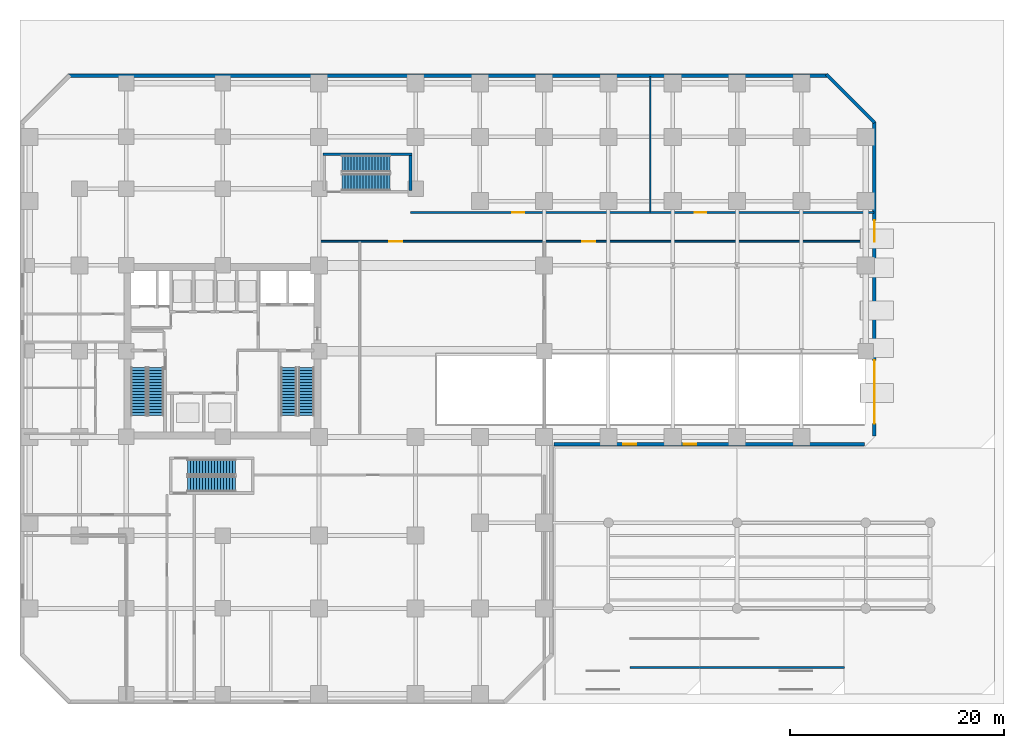
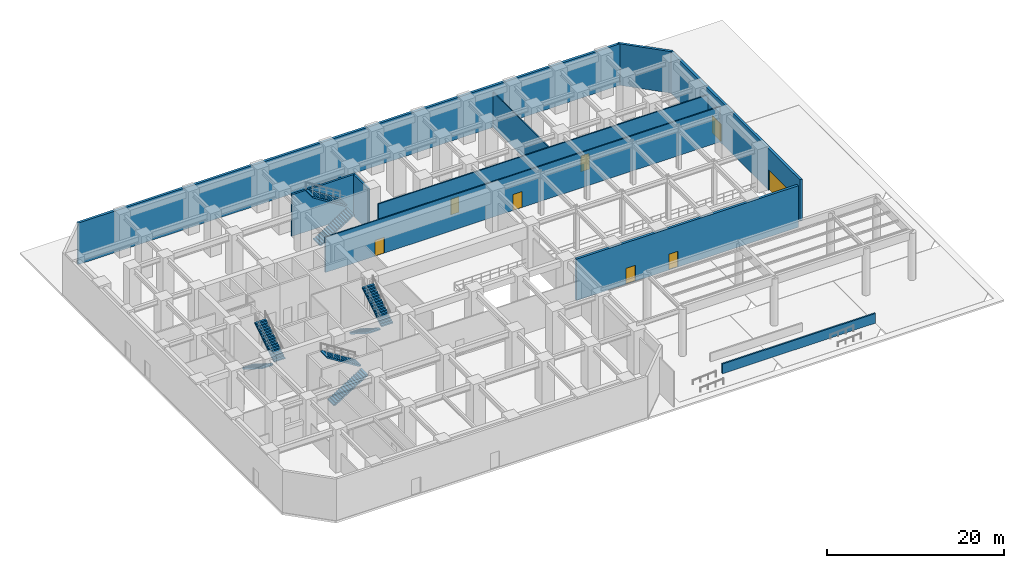
# One storey, part 7 of 13: 10 walls, 8 doors, 8 stair flights, 8 openings, 4 elements without a shape of their own.
"""IFC4 building model written with IfcOpenShell, lengths in metres."""

from ifc_helpers import new_model, si_unit, direction, frame, frame_2d, origin, place, context, subcontext, project, spatial, polyline, rectangle, outline, extrude, source, transform, mapped, material, layer, layer_set, type_object, element, fill, aggregate, save


model = new_model("IFC4")

# Units and contexts
model_context = context("Model", 3, precision=1e-05, world=origin(), true_north=direction((0.0, 1.0)))
body_context = subcontext(model_context, "Body", "Model", "MODEL_VIEW")
ifc_project = project(units=[si_unit("LENGTHUNIT", "METRE"), si_unit("AREAUNIT", "SQUARE_METRE"), si_unit("VOLUMEUNIT", "CUBIC_METRE"), si_unit("PLANEANGLEUNIT", "RADIAN"), si_unit("MASSUNIT", "GRAM", prefix="KILO")], contexts=[model_context])

# Site, building, storey
site_placement = place(None, origin())
site = spatial("IfcSite", under=ifc_project, at=site_placement, CompositionType="ELEMENT")
building_placement = place(site_placement, origin())
building = spatial("IfcBuilding", under=site, at=building_placement, Name="Torre Montelarca", CompositionType="ELEMENT")
storey_placement = place(building_placement, origin())
storey = spatial("IfcBuildingStorey", under=building, at=storey_placement, Name="L01", CompositionType="ELEMENT", Elevation=0.0)

# Walls
ifc_material_1 = material(Name="Concrete C40/50", Category="concrete")
ifc_layer_1 = layer(ifc_material_1, 0.25, Name="Concrete C40/50", Category="concrete")
ifc_layer_set_1 = layer_set([ifc_layer_1], Name="Concrete C40/50")
wall_type_1 = type_object("IfcWallType", Name="CW-SHAFT-250", PredefinedType="SHEAR", material=ifc_layer_set_1)
wall_1_placement = place(storey_placement, frame((35.52490234375, 47.0, 0.0), z_axis=(0.0, 0.0, 1.0), x_axis=(0.0, 1.0, 0.0)))
element("IfcWall", 1, at=wall_1_placement, inside=storey, type_object=wall_type_1, Name="L01 Core Shear Wall SH-ST4-E", PredefinedType="SHEAR", context=body_context, shape_type="SweptSolid", body=[
    extrude(rectangle(XDim=3.25, YDim=0.25, at=frame_2d((1.625, 0.0))), origin(), (0.0, 0.0, 1.0), 5.739990234375),
])
wall_2_placement = place(storey_placement, frame((27.35009765625, 50.375, 0.0), z_axis=(0.0, 0.0, 1.0), x_axis=(1.0, 0.0, 0.0)))
element("IfcWall", 2, at=wall_2_placement, inside=storey, type_object=wall_type_1, Name="L01 Core Shear Wall SH-ST4-N", PredefinedType="SHEAR", context=body_context, shape_type="SweptSolid", body=[
    extrude(rectangle(XDim=8.2998046875, YDim=0.25, at=frame_2d((4.14990234375, 0.0))), origin(), (0.0, 0.0, 1.0), 5.739990234375),
])

# Wall, openings, doors
ifc_material_2 = material(Name="Precast concrete C45/55", Category="concrete")
ifc_layer_2 = layer(ifc_material_2, 0.320068359375, Name="Precast concrete C45/55", Category="concrete")
ifc_layer_set_2 = layer_set([ifc_layer_2], Name="Precast concrete C45/55")
wall_type_2 = type_object("IfcWallType", Name="EW-CONC-320", PredefinedType="SOLIDWALL", material=ifc_layer_set_2)
wall_3_placement = place(storey_placement, frame((77.89990234375, 23.320068359375, 0.0), z_axis=(0.0, 0.0, 1.0), x_axis=(-1.0, 0.0, 0.0)))
wall_3 = element("IfcWall", 3, at=wall_3_placement, inside=storey, type_object=wall_type_2, Name="L01 Podium Precast Concrete Wall E04", PredefinedType="SOLIDWALL", context=body_context, shape_type="SweptSolid", body=[
    extrude(rectangle(XDim=29.0, YDim=0.320068359375, at=frame_2d((14.5, 0.0))), origin(), (0.0, 0.0, 1.0), 5.739990234375),
])
opening_1_placement = place(wall_3_placement, frame((21.300048828125, 0.0, 0.0)))
opening_1 = element("IfcOpeningElement", 4, at=opening_1_placement, cuts=wall_3, Name="Opening ED-02", PredefinedType="OPENING", context=body_context, shape_type="SweptSolid", body=[
    extrude(rectangle(XDim=1.199951171875, YDim=2.199951171875, at=frame_2d((0.60009765625, 1.10009765625))), frame((0.0, 0.169921875, 0.0), z_axis=(0.0, -1.0, 0.0), x_axis=(1.0, 0.0, 0.0)), (0.0, 0.0, 1.0), 0.340087890625),
])
opening_2_placement = place(wall_3_placement, frame((15.699951171875, 0.0, 0.0)))
opening_2 = element("IfcOpeningElement", 5, at=opening_2_placement, cuts=wall_3, Name="Opening ED-02", PredefinedType="OPENING", context=body_context, shape_type="SweptSolid", body=[
    extrude(rectangle(XDim=1.199951171875, YDim=2.199951171875, at=frame_2d((0.60009765625, 1.10009765625))), frame((0.0, 0.169921875, 0.0), z_axis=(0.0, -1.0, 0.0), x_axis=(1.0, 0.0, 0.0)), (0.0, 0.0, 1.0), 0.340087890625),
])
ifc_material_3 = material(Name="Powder-coated galvanized steel and safety glass", Category="steel")
door_type_1 = type_object("IfcDoorType", Name="DR-EXT-EXIT", OperationType="NOTDEFINED", PredefinedType="DOOR", material=ifc_material_3)
shared_shape_1 = source(origin(), body_context, "Body", "SweptSolid", [
    extrude(rectangle(XDim=1.199951171875, YDim=2.199951171875, at=frame_2d((0.60009765625, 1.10009765625))), frame((0.0, 0.02490234375, 0.0), z_axis=(0.0, -1.0, 0.0), x_axis=(1.0, 0.0, 0.0)), (0.0, 0.0, 1.0), 0.050048828125),
])
door_1_placement = place(opening_1_placement, origin())
door_1 = element("IfcDoor", 6, at=door_1_placement, inside=storey, type_object=door_type_1, Name="L01 Public Plaza Concourse Entrance Door 1", OperationType="SINGLE_SWING_LEFT", OverallHeight=2.199951171875, OverallWidth=1.199951171875, PredefinedType="DOOR", context=body_context, shape_type="MappedRepresentation", body=[
    mapped(shared_shape_1, transform((0.0, 0.0, 0.0), scale=1.0)),
])
fill(opening_1, door_1)
door_2_placement = place(opening_2_placement, origin())
door_2 = element("IfcDoor", 7, at=door_2_placement, inside=storey, type_object=door_type_1, Name="L01 Public Plaza Concourse Entrance Door 2", OperationType="SINGLE_SWING_RIGHT", OverallHeight=2.199951171875, OverallWidth=1.199951171875, PredefinedType="DOOR", context=body_context, shape_type="MappedRepresentation", body=[
    mapped(shared_shape_1, transform((0.0, 0.0, 0.0), scale=1.0)),
])
fill(opening_2, door_2)

wall_4_placement = place(storey_placement, frame((78.800048828125, 53.39990234375, 0.0), z_axis=(0.0, 0.0, 1.0), x_axis=(0.0, -1.0, 0.0)))
wall_4 = element("IfcWall", 8, at=wall_4_placement, inside=storey, type_object=wall_type_2, Name="L01 Podium Precast Concrete Wall E06", PredefinedType="SOLIDWALL", context=body_context, shape_type="SweptSolid", body=[
    extrude(rectangle(XDim=29.2998046875, YDim=0.320068359375, at=frame_2d((14.64990234375, 0.0))), origin(), (0.0, 0.0, 1.0), 5.739990234375),
])
opening_3_placement = place(wall_4_placement, frame((22.25, 0.0, 0.0)))
opening_3 = element("IfcOpeningElement", 9, at=opening_3_placement, cuts=wall_4, Name="Opening VG-01", PredefinedType="OPENING", context=body_context, shape_type="SweptSolid", body=[
    extrude(rectangle(XDim=5.89990234375, YDim=2.800048828125, at=frame_2d((2.949951171875, 1.39990234375))), frame((0.0, 0.169921875, 0.0), z_axis=(0.0, -1.0, 0.0), x_axis=(1.0, 0.0, 0.0)), (0.0, 0.0, 1.0), 0.340087890625),
])
opening_4_placement = place(wall_4_placement, frame((9.199951171875, 0.0, 0.0)))
opening_4 = element("IfcOpeningElement", 10, at=opening_4_placement, cuts=wall_4, Name="Opening ED-01", PredefinedType="OPENING", context=body_context, shape_type="SweptSolid", body=[
    extrude(rectangle(XDim=2.0, YDim=2.39990234375, at=frame_2d((1.0, 1.199951171875))), frame((0.0, 0.169921875, 0.0), z_axis=(0.0, -1.0, 0.0), x_axis=(1.0, 0.0, 0.0)), (0.0, 0.0, 1.0), 0.340087890625),
])
door_type_2 = type_object("IfcDoorType", Name="DR-VEH-GATE", OperationType="ROLLINGUP", PredefinedType="GATE", material=ifc_material_3)
shared_shape_2 = source(origin(), body_context, "Body", "SweptSolid", [
    extrude(rectangle(XDim=5.89990234375, YDim=2.800048828125, at=frame_2d((2.949951171875, 1.39990234375))), frame((0.0, 0.02490234375, 0.0), z_axis=(0.0, -1.0, 0.0), x_axis=(1.0, 0.0, 0.0)), (0.0, 0.0, 1.0), 0.050048828125),
])
door_3_placement = place(opening_3_placement, origin())
door_3 = element("IfcDoor", 11, at=door_3_placement, inside=storey, type_object=door_type_2, Name="L01 East Plaza Vehicle Ramp Exit Gate VG-01", OperationType="ROLLINGUP", OverallHeight=2.800048828125, OverallWidth=5.89990234375, PredefinedType="GATE", context=body_context, shape_type="MappedRepresentation", body=[
    mapped(shared_shape_2, transform((0.0, 0.0, 0.0), scale=1.0)),
])
fill(opening_3, door_3)
door_type_3 = type_object("IfcDoorType", Name="DR-EXT-DBL", OperationType="DOUBLE_DOOR_SINGLE_SWING", PredefinedType="DOOR", material=ifc_material_3)
shared_shape_3 = source(origin(), body_context, "Body", "SweptSolid", [
    extrude(rectangle(XDim=2.0, YDim=2.39990234375, at=frame_2d((1.0, 1.199951171875))), frame((0.0, 0.02490234375, 0.0), z_axis=(0.0, -1.0, 0.0), x_axis=(1.0, 0.0, 0.0)), (0.0, 0.0, 1.0), 0.050048828125),
])
door_4_placement = place(opening_4_placement, origin())
door_4 = element("IfcDoor", 12, at=door_4_placement, inside=storey, type_object=door_type_3, Name="L01 Bolsa Montelarca Main Plaza Entrance Door 1", OperationType="DOUBLE_DOOR_SINGLE_SWING", OverallHeight=2.39990234375, OverallWidth=2.0, PredefinedType="DOOR", context=body_context, shape_type="MappedRepresentation", body=[
    mapped(shared_shape_3, transform((0.0, 0.0, 0.0), scale=1.0)),
])
fill(opening_4, door_4)

# Walls
wall_5_placement = place(storey_placement, frame((78.829345703125, 53.329345703125, 0.0), z_axis=(0.0, 0.0, 1.0), x_axis=(-0.707106781187, 0.707106781187, 0.0)))
element("IfcWall", 13, at=wall_5_placement, inside=storey, type_object=wall_type_2, Name="L01 Podium Precast Concrete Wall E07", PredefinedType="SOLIDWALL", context=body_context, shape_type="SweptSolid", body=[
    extrude(rectangle(XDim=6.364013671875, YDim=0.320068359375, at=frame_2d((3.18212890625, 0.0))), origin(), (0.0, 0.0, 1.0), 5.739990234375),
])
wall_6_placement = place(storey_placement, frame((74.39990234375, 57.679931640625, 0.0), z_axis=(0.0, 0.0, 1.0), x_axis=(-1.0, 0.0, 0.0)))
element("IfcWall", 14, at=wall_6_placement, inside=storey, type_object=wall_type_2, Name="L01 Podium Precast Concrete Wall E08", PredefinedType="SOLIDWALL", context=body_context, shape_type="SweptSolid", body=[
    extrude(rectangle(XDim=70.7998046875, YDim=0.320068359375, at=frame_2d((35.39990234375, 0.0))), origin(), (0.0, 0.0, 1.0), 5.739990234375),
])
ifc_layer_3 = layer(ifc_material_2, 0.199951171875, Name="Precast concrete C45/55", Category="concrete")
ifc_layer_set_3 = layer_set([ifc_layer_3], Name="Precast concrete C45/55")
wall_type_3 = type_object("IfcWallType", Name="EW-PAR-200", PredefinedType="PARAPET", material=ifc_layer_set_3)
wall_7_placement = place(storey_placement, frame((56.0, 2.5, 0.0), z_axis=(0.0, 0.0, 1.0), x_axis=(1.0, 0.0, 0.0)))
element("IfcWall", 15, at=wall_7_placement, inside=storey, type_object=wall_type_3, Name="L01 Plaza Reflection Water-Court Baffle Wall South", PredefinedType="PARAPET", context=body_context, shape_type="SweptSolid", body=[
    extrude(rectangle(XDim=20.0, YDim=0.199951171875, at=frame_2d((10.0, 0.0))), origin(), (0.0, 0.0, 1.0), 1.35009765625),
])

# Wall, openings, doors
ifc_material_4 = material(Name="Gypsum plasterboard on steel stud", Category="steel")
ifc_layer_4 = layer(ifc_material_4, 0.159912109375, Name="Gypsum plasterboard on steel stud", Category="steel")
ifc_layer_set_4 = layer_set([ifc_layer_4], Name="Gypsum plasterboard on steel stud")
wall_type_4 = type_object("IfcWallType", Name="PW-FIRE-160", PredefinedType="PARTITIONING", material=ifc_layer_set_4)
wall_8_placement = place(storey_placement, frame((27.06005859375, 42.25, 0.0), z_axis=(0.0, 0.0, 1.0), x_axis=(1.0, 0.0, 0.0)))
wall_8 = element("IfcWall", 16, at=wall_8_placement, inside=storey, type_object=wall_type_4, Name="L01 Interior Partition W-L01-CN1", PredefinedType="PARTITIONING", context=body_context, shape_type="SweptSolid", body=[
    extrude(rectangle(XDim=51.699951171875, YDim=0.159912109375, at=frame_2d((25.85009765625, 0.0))), origin(), (0.0, 0.0, 1.0), 4.875),
])
opening_5_placement = place(wall_8_placement, frame((6.5, 0.0, 0.0)))
opening_5 = element("IfcOpeningElement", 17, at=opening_5_placement, cuts=wall_8, Name="Opening FD-120", PredefinedType="OPENING", context=body_context, shape_type="SweptSolid", body=[
    extrude(rectangle(XDim=1.199951171875, YDim=2.199951171875, at=frame_2d((0.60009765625, 1.10009765625))), frame((0.0, 0.08984375, 0.0), z_axis=(0.0, -1.0, 0.0), x_axis=(1.0, 0.0, 0.0)), (0.0, 0.0, 1.0), 0.179931640625),
])
opening_6_placement = place(wall_8_placement, frame((24.5, 0.0, 0.0)))
opening_6 = element("IfcOpeningElement", 18, at=opening_6_placement, cuts=wall_8, Name="Opening FD-120", PredefinedType="OPENING", context=body_context, shape_type="SweptSolid", body=[
    extrude(rectangle(XDim=1.199951171875, YDim=2.199951171875, at=frame_2d((0.60009765625, 1.10009765625))), frame((0.0, 0.08984375, 0.0), z_axis=(0.0, -1.0, 0.0), x_axis=(1.0, 0.0, 0.0)), (0.0, 0.0, 1.0), 0.179931640625),
])
ifc_material_5 = material(Name="Galvanized steel fire door", Category="steel")
door_type_4 = type_object("IfcDoorType", Name="DR-FIRE-120", OperationType="NOTDEFINED", PredefinedType="DOOR", material=ifc_material_5)
shared_shape_4 = source(origin(), body_context, "Body", "SweptSolid", [
    extrude(rectangle(XDim=1.199951171875, YDim=2.199951171875, at=frame_2d((0.60009765625, 1.10009765625))), frame((0.0, 0.02490234375, 0.0), z_axis=(0.0, -1.0, 0.0), x_axis=(1.0, 0.0, 0.0)), (0.0, 0.0, 1.0), 0.050048828125),
])
door_5_placement = place(opening_5_placement, origin())
door_5 = element("IfcDoor", 19, at=door_5_placement, inside=storey, type_object=door_type_4, Name="L01 Interior Door 07", OperationType="SINGLE_SWING_LEFT", OverallHeight=2.199951171875, OverallWidth=1.199951171875, PredefinedType="DOOR", context=body_context, shape_type="MappedRepresentation", body=[
    mapped(shared_shape_4, transform((0.0, 0.0, 0.0), scale=1.0)),
])
fill(opening_5, door_5)
door_6_placement = place(opening_6_placement, origin())
door_6 = element("IfcDoor", 20, at=door_6_placement, inside=storey, type_object=door_type_4, Name="L01 Interior Door 08", OperationType="SINGLE_SWING_RIGHT", OverallHeight=2.199951171875, OverallWidth=1.199951171875, PredefinedType="DOOR", context=body_context, shape_type="MappedRepresentation", body=[
    mapped(shared_shape_4, transform((0.0, 0.0, 0.0), scale=1.0)),
])
fill(opening_6, door_6)

wall_9_placement = place(storey_placement, frame((35.5400390625, 44.949951171875, 0.0), z_axis=(0.0, 0.0, 1.0), x_axis=(1.0, 0.0, 0.0)))
wall_9 = element("IfcWall", 21, at=wall_9_placement, inside=storey, type_object=wall_type_4, Name="L01 Interior Partition W-L01-CN2", PredefinedType="PARTITIONING", context=body_context, shape_type="SweptSolid", body=[
    extrude(rectangle(XDim=43.219970703125, YDim=0.159912109375, at=frame_2d((21.60986328125, 0.0))), origin(), (0.0, 0.0, 1.0), 4.875),
])
opening_7_placement = place(wall_9_placement, frame((9.5, 0.0, 0.0)))
opening_7 = element("IfcOpeningElement", 22, at=opening_7_placement, cuts=wall_9, Name="Opening FD-110", PredefinedType="OPENING", context=body_context, shape_type="SweptSolid", body=[
    extrude(rectangle(XDim=1.10009765625, YDim=2.199951171875, at=frame_2d((0.550048828125, 1.10009765625))), frame((0.0, 0.08984375, 0.0), z_axis=(0.0, -1.0, 0.0), x_axis=(1.0, 0.0, 0.0)), (0.0, 0.0, 1.0), 0.179931640625),
])
opening_8_placement = place(wall_9_placement, frame((26.5, 0.0, 0.0)))
opening_8 = element("IfcOpeningElement", 23, at=opening_8_placement, cuts=wall_9, Name="Opening FD-110", PredefinedType="OPENING", context=body_context, shape_type="SweptSolid", body=[
    extrude(rectangle(XDim=1.10009765625, YDim=2.199951171875, at=frame_2d((0.550048828125, 1.10009765625))), frame((0.0, 0.08984375, 0.0), z_axis=(0.0, -1.0, 0.0), x_axis=(1.0, 0.0, 0.0)), (0.0, 0.0, 1.0), 0.179931640625),
])
ifc_material_6 = material(Name="Timber fire-rated suite door", Category="wood")
door_type_5 = type_object("IfcDoorType", Name="DR-FIRE-110", OperationType="NOTDEFINED", PredefinedType="DOOR", material=ifc_material_6)
shared_shape_5 = source(origin(), body_context, "Body", "SweptSolid", [
    extrude(rectangle(XDim=1.10009765625, YDim=2.199951171875, at=frame_2d((0.550048828125, 1.10009765625))), frame((0.0, 0.02490234375, 0.0), z_axis=(0.0, -1.0, 0.0), x_axis=(1.0, 0.0, 0.0)), (0.0, 0.0, 1.0), 0.050048828125),
])
door_7_placement = place(opening_7_placement, origin())
door_7 = element("IfcDoor", 24, at=door_7_placement, inside=storey, type_object=door_type_5, Name="L01 Interior Door 09", OperationType="SINGLE_SWING_RIGHT", OverallHeight=2.199951171875, OverallWidth=1.10009765625, PredefinedType="DOOR", context=body_context, shape_type="MappedRepresentation", body=[
    mapped(shared_shape_5, transform((0.0, 0.0, 0.0), scale=1.0)),
])
fill(opening_7, door_7)
door_8_placement = place(opening_8_placement, origin())
door_8 = element("IfcDoor", 25, at=door_8_placement, inside=storey, type_object=door_type_5, Name="L01 Interior Door 10", OperationType="SINGLE_SWING_LEFT", OverallHeight=2.199951171875, OverallWidth=1.10009765625, PredefinedType="DOOR", context=body_context, shape_type="MappedRepresentation", body=[
    mapped(shared_shape_5, transform((0.0, 0.0, 0.0), scale=1.0)),
])
fill(opening_8, door_8)

# Wall
ifc_layer_5 = layer(ifc_material_4, 0.135009765625, Name="Gypsum plasterboard on steel stud", Category="steel")
ifc_layer_set_5 = layer_set([ifc_layer_5], Name="Gypsum plasterboard on steel stud")
wall_type_5 = type_object("IfcWallType", Name="PW-PART-135", PredefinedType="PARTITIONING", material=ifc_layer_set_5)
wall_10_placement = place(storey_placement, frame((57.89990234375, 44.989990234375, 0.0), z_axis=(0.0, 0.0, 1.0), x_axis=(0.0, 1.0, 0.0)))
element("IfcWall", 26, at=wall_10_placement, inside=storey, type_object=wall_type_5, Name="L01 Interior Partition W-L01-NM", PredefinedType="PARTITIONING", context=body_context, shape_type="SweptSolid", body=[
    extrude(rectangle(XDim=12.6201171875, YDim=0.135009765625, at=frame_2d((6.31005859375, 0.0))), origin(), (0.0, 0.0, 1.0), 4.875),
])

# Stair, stair flights
stair_type_1 = type_object("IfcStairType", Name="ST-CORE-ST1", PredefinedType="HALF_TURN_STAIR", material=ifc_material_1)
stair_1_placement = place(storey_placement, origin())
stair_1 = element("IfcStair", 27, at=stair_1_placement, inside=storey, type_object=stair_type_1, Name="L01 Protected Exit Stair ST1", PredefinedType="HALF_TURN_STAIR")
stair_flight_type_1 = type_object("IfcStairFlightType", Name="SFL-CORE-ST1", PredefinedType="STRAIGHT", material=ifc_material_1)
stair_flight_1_placement = place(storey_placement, frame((10.175048828125, 30.5, 0.0), z_axis=(0.0, 0.0, 1.0), x_axis=(0.0, -1.0, 0.0)))
stair_flight_1 = element("IfcStairFlight", 28, at=stair_flight_1_placement, type_object=stair_flight_type_1, Name="ST1 flight 1", NumberOfRisers=17, NumberOfTreads=16, PredefinedType="STRAIGHT", RiserHeight=0.176470588, TreadLength=0.28, context=body_context, shape_type="SweptSolid", body=[
    extrude(outline(polyline([(0.0, 0.0), (0.0, 0.176513671875), (0.280029296875, 0.176513671875), (0.280029296875, 0.35302734375), (0.56005859375, 0.35302734375), (0.56005859375, 0.529296875), (0.840087890625, 0.529296875), (0.840087890625, 0.705810546875), (1.1201171875, 0.705810546875), (1.1201171875, 0.88232421875), (1.39990234375, 0.88232421875), (1.39990234375, 1.058837890625), (1.679931640625, 1.058837890625), (1.679931640625, 1.2353515625), (1.9599609375, 1.2353515625), (1.9599609375, 1.411865234375), (2.239990234375, 1.411865234375), (2.239990234375, 1.588134765625), (2.52001953125, 1.588134765625), (2.52001953125, 1.7646484375), (2.800048828125, 1.7646484375), (2.800048828125, 1.941162109375), (3.080078125, 1.941162109375), (3.080078125, 2.11767578125), (3.360107421875, 2.11767578125), (3.360107421875, 2.294189453125), (3.639892578125, 2.294189453125), (3.639892578125, 2.470703125), (3.919921875, 2.470703125), (3.919921875, 2.64697265625), (4.199951171875, 2.64697265625), (4.199951171875, 2.823486328125), (4.47998046875, 2.823486328125), (4.47998046875, 3.0), (4.47998046875, 2.646240234375), (0.28125, 0.0), (0.0, 0.0)])), frame((0.0, 0.72509765625, 0.0), z_axis=(0.0, -1.0, 0.0), x_axis=(1.0, 0.0, 0.0)), (0.0, 0.0, 1.0), 1.449951171875),
])
stair_flight_2_placement = place(storey_placement, frame((11.77490234375, 26.02001953125, 3.0), z_axis=(0.0, 0.0, 1.0), x_axis=(0.0, 1.0, 0.0)))
stair_flight_2 = element("IfcStairFlight", 29, at=stair_flight_2_placement, type_object=stair_flight_type_1, Name="ST1 flight 2", NumberOfRisers=17, NumberOfTreads=16, PredefinedType="STRAIGHT", RiserHeight=0.176470588, TreadLength=0.28, context=body_context, shape_type="SweptSolid", body=[
    extrude(outline(polyline([(0.0, 0.0), (0.0, 0.176513671875), (0.280029296875, 0.176513671875), (0.280029296875, 0.35302734375), (0.56005859375, 0.35302734375), (0.56005859375, 0.529296875), (0.840087890625, 0.529296875), (0.840087890625, 0.705810546875), (1.1201171875, 0.705810546875), (1.1201171875, 0.88232421875), (1.39990234375, 0.88232421875), (1.39990234375, 1.058837890625), (1.679931640625, 1.058837890625), (1.679931640625, 1.2353515625), (1.9599609375, 1.2353515625), (1.9599609375, 1.411865234375), (2.239990234375, 1.411865234375), (2.239990234375, 1.588134765625), (2.52001953125, 1.588134765625), (2.52001953125, 1.7646484375), (2.800048828125, 1.7646484375), (2.800048828125, 1.941162109375), (3.080078125, 1.941162109375), (3.080078125, 2.11767578125), (3.360107421875, 2.11767578125), (3.360107421875, 2.294189453125), (3.639892578125, 2.294189453125), (3.639892578125, 2.470703125), (3.919921875, 2.470703125), (3.919921875, 2.64697265625), (4.199951171875, 2.64697265625), (4.199951171875, 2.823486328125), (4.47998046875, 2.823486328125), (4.47998046875, 3.0), (4.47998046875, 2.646240234375), (0.28125, 0.0), (0.0, 0.0)])), frame((0.0, 0.72509765625, 0.0), z_axis=(0.0, -1.0, 0.0), x_axis=(1.0, 0.0, 0.0)), (0.0, 0.0, 1.0), 1.449951171875),
])
aggregate(stair_1, [stair_flight_1, stair_flight_2])

stair_type_2 = type_object("IfcStairType", Name="ST-CORE-ST2", PredefinedType="HALF_TURN_STAIR", material=ifc_material_1)
stair_2_placement = place(storey_placement, origin())
stair_2 = element("IfcStair", 30, at=stair_2_placement, inside=storey, type_object=stair_type_2, Name="L01 Protected Exit Stair ST2", PredefinedType="HALF_TURN_STAIR")
stair_flight_type_2 = type_object("IfcStairFlightType", Name="SFL-CORE-ST2", PredefinedType="STRAIGHT", material=ifc_material_1)
stair_flight_3_placement = place(storey_placement, frame((24.179931640625, 30.469970703125, 0.0), z_axis=(0.0, 0.0, 1.0), x_axis=(0.0, -1.0, 0.0)))
stair_flight_3 = element("IfcStairFlight", 31, at=stair_flight_3_placement, type_object=stair_flight_type_2, Name="ST2 flight 1", NumberOfRisers=17, NumberOfTreads=16, PredefinedType="STRAIGHT", RiserHeight=0.176470588, TreadLength=0.28, context=body_context, shape_type="SweptSolid", body=[
    extrude(outline(polyline([(0.0, 0.0), (0.0, 0.176513671875), (0.280029296875, 0.176513671875), (0.280029296875, 0.35302734375), (0.56005859375, 0.35302734375), (0.56005859375, 0.529296875), (0.840087890625, 0.529296875), (0.840087890625, 0.705810546875), (1.1201171875, 0.705810546875), (1.1201171875, 0.88232421875), (1.39990234375, 0.88232421875), (1.39990234375, 1.058837890625), (1.679931640625, 1.058837890625), (1.679931640625, 1.2353515625), (1.9599609375, 1.2353515625), (1.9599609375, 1.411865234375), (2.239990234375, 1.411865234375), (2.239990234375, 1.588134765625), (2.52001953125, 1.588134765625), (2.52001953125, 1.7646484375), (2.800048828125, 1.7646484375), (2.800048828125, 1.941162109375), (3.080078125, 1.941162109375), (3.080078125, 2.11767578125), (3.360107421875, 2.11767578125), (3.360107421875, 2.294189453125), (3.639892578125, 2.294189453125), (3.639892578125, 2.470703125), (3.919921875, 2.470703125), (3.919921875, 2.64697265625), (4.199951171875, 2.64697265625), (4.199951171875, 2.823486328125), (4.47998046875, 2.823486328125), (4.47998046875, 3.0), (4.47998046875, 2.646240234375), (0.28125, 0.0), (0.0, 0.0)])), frame((0.0, 0.739990234375, 0.0), z_axis=(0.0, -1.0, 0.0), x_axis=(1.0, 0.0, 0.0)), (0.0, 0.0, 1.0), 1.47998046875),
])
stair_flight_4_placement = place(storey_placement, frame((25.81005859375, 25.989990234375, 3.0), z_axis=(0.0, 0.0, 1.0), x_axis=(0.0, 1.0, 0.0)))
stair_flight_4 = element("IfcStairFlight", 32, at=stair_flight_4_placement, type_object=stair_flight_type_2, Name="ST2 flight 2", NumberOfRisers=17, NumberOfTreads=16, PredefinedType="STRAIGHT", RiserHeight=0.176470588, TreadLength=0.28, context=body_context, shape_type="SweptSolid", body=[
    extrude(outline(polyline([(0.0, 0.0), (0.0, 0.176513671875), (0.280029296875, 0.176513671875), (0.280029296875, 0.35302734375), (0.56005859375, 0.35302734375), (0.56005859375, 0.529296875), (0.840087890625, 0.529296875), (0.840087890625, 0.705810546875), (1.1201171875, 0.705810546875), (1.1201171875, 0.88232421875), (1.39990234375, 0.88232421875), (1.39990234375, 1.058837890625), (1.679931640625, 1.058837890625), (1.679931640625, 1.2353515625), (1.9599609375, 1.2353515625), (1.9599609375, 1.411865234375), (2.239990234375, 1.411865234375), (2.239990234375, 1.588134765625), (2.52001953125, 1.588134765625), (2.52001953125, 1.7646484375), (2.800048828125, 1.7646484375), (2.800048828125, 1.941162109375), (3.080078125, 1.941162109375), (3.080078125, 2.11767578125), (3.360107421875, 2.11767578125), (3.360107421875, 2.294189453125), (3.639892578125, 2.294189453125), (3.639892578125, 2.470703125), (3.919921875, 2.470703125), (3.919921875, 2.64697265625), (4.199951171875, 2.64697265625), (4.199951171875, 2.823486328125), (4.47998046875, 2.823486328125), (4.47998046875, 3.0), (4.47998046875, 2.646240234375), (0.28125, 0.0), (0.0, 0.0)])), frame((0.0, 0.739990234375, 0.0), z_axis=(0.0, -1.0, 0.0), x_axis=(1.0, 0.0, 0.0)), (0.0, 0.0, 1.0), 1.47998046875),
])
aggregate(stair_2, [stair_flight_3, stair_flight_4])

stair_type_3 = type_object("IfcStairType", Name="ST-CORE-ST3", PredefinedType="HALF_TURN_STAIR", material=ifc_material_1)
stair_3_placement = place(storey_placement, origin())
stair_3 = element("IfcStair", 33, at=stair_3_placement, inside=storey, type_object=stair_type_3, Name="L01 Low-Rise Exit Stair ST3", PredefinedType="HALF_TURN_STAIR")
stair_flight_type_3 = type_object("IfcStairFlightType", Name="SFL-CORE-ST3", PredefinedType="STRAIGHT", material=ifc_material_1)
stair_flight_5_placement = place(storey_placement, frame((14.719970703125, 19.610107421875, 0.0), z_axis=(0.0, 0.0, 1.0), x_axis=(1.0, 0.0, 0.0)))
stair_flight_5 = element("IfcStairFlight", 34, at=stair_flight_5_placement, type_object=stair_flight_type_3, Name="ST3 flight 1", NumberOfRisers=17, NumberOfTreads=16, PredefinedType="STRAIGHT", RiserHeight=0.176470588, TreadLength=0.28, context=body_context, shape_type="SweptSolid", body=[
    extrude(outline(polyline([(0.0, 0.0), (0.0, 0.176513671875), (0.280029296875, 0.176513671875), (0.280029296875, 0.35302734375), (0.56005859375, 0.35302734375), (0.56005859375, 0.529296875), (0.840087890625, 0.529296875), (0.840087890625, 0.705810546875), (1.1201171875, 0.705810546875), (1.1201171875, 0.88232421875), (1.39990234375, 0.88232421875), (1.39990234375, 1.058837890625), (1.679931640625, 1.058837890625), (1.679931640625, 1.2353515625), (1.9599609375, 1.2353515625), (1.9599609375, 1.411865234375), (2.239990234375, 1.411865234375), (2.239990234375, 1.588134765625), (2.52001953125, 1.588134765625), (2.52001953125, 1.7646484375), (2.800048828125, 1.7646484375), (2.800048828125, 1.941162109375), (3.080078125, 1.941162109375), (3.080078125, 2.11767578125), (3.360107421875, 2.11767578125), (3.360107421875, 2.294189453125), (3.639892578125, 2.294189453125), (3.639892578125, 2.470703125), (3.919921875, 2.470703125), (3.919921875, 2.64697265625), (4.199951171875, 2.64697265625), (4.199951171875, 2.823486328125), (4.47998046875, 2.823486328125), (4.47998046875, 3.0), (4.47998046875, 2.646240234375), (0.28125, 0.0), (0.0, 0.0)])), frame((0.0, 0.7099609375, 0.0), z_axis=(0.0, -1.0, 0.0), x_axis=(1.0, 0.0, 0.0)), (0.0, 0.0, 1.0), 1.419921875),
])
stair_flight_6_placement = place(storey_placement, frame((19.199951171875, 21.179931640625, 3.0), z_axis=(0.0, 0.0, 1.0), x_axis=(-1.0, 0.0, 0.0)))
stair_flight_6 = element("IfcStairFlight", 35, at=stair_flight_6_placement, type_object=stair_flight_type_3, Name="ST3 flight 2", NumberOfRisers=17, NumberOfTreads=16, PredefinedType="STRAIGHT", RiserHeight=0.176470588, TreadLength=0.28, context=body_context, shape_type="SweptSolid", body=[
    extrude(outline(polyline([(0.0, 0.0), (0.0, 0.176513671875), (0.280029296875, 0.176513671875), (0.280029296875, 0.35302734375), (0.56005859375, 0.35302734375), (0.56005859375, 0.529296875), (0.840087890625, 0.529296875), (0.840087890625, 0.705810546875), (1.1201171875, 0.705810546875), (1.1201171875, 0.88232421875), (1.39990234375, 0.88232421875), (1.39990234375, 1.058837890625), (1.679931640625, 1.058837890625), (1.679931640625, 1.2353515625), (1.9599609375, 1.2353515625), (1.9599609375, 1.411865234375), (2.239990234375, 1.411865234375), (2.239990234375, 1.588134765625), (2.52001953125, 1.588134765625), (2.52001953125, 1.7646484375), (2.800048828125, 1.7646484375), (2.800048828125, 1.941162109375), (3.080078125, 1.941162109375), (3.080078125, 2.11767578125), (3.360107421875, 2.11767578125), (3.360107421875, 2.294189453125), (3.639892578125, 2.294189453125), (3.639892578125, 2.470703125), (3.919921875, 2.470703125), (3.919921875, 2.64697265625), (4.199951171875, 2.64697265625), (4.199951171875, 2.823486328125), (4.47998046875, 2.823486328125), (4.47998046875, 3.0), (4.47998046875, 2.646240234375), (0.28125, 0.0), (0.0, 0.0)])), frame((0.0, 0.7099609375, 0.0), z_axis=(0.0, -1.0, 0.0), x_axis=(1.0, 0.0, 0.0)), (0.0, 0.0, 1.0), 1.419921875),
])
aggregate(stair_3, [stair_flight_5, stair_flight_6])

stair_type_4 = type_object("IfcStairType", Name="ST-CORE-ST4", PredefinedType="HALF_TURN_STAIR", material=ifc_material_1)
stair_4_placement = place(storey_placement, origin())
stair_4 = element("IfcStair", 36, at=stair_4_placement, inside=storey, type_object=stair_type_4, Name="L01 Podium Exchange Feature Stair ST4", PredefinedType="HALF_TURN_STAIR")
stair_flight_type_4 = type_object("IfcStairFlightType", Name="SFL-CORE-ST4", PredefinedType="STRAIGHT", material=ifc_material_1)
stair_flight_7_placement = place(storey_placement, frame((29.14990234375, 47.77490234375, 0.0), z_axis=(0.0, 0.0, 1.0), x_axis=(1.0, 0.0, 0.0)))
stair_flight_7 = element("IfcStairFlight", 37, at=stair_flight_7_placement, type_object=stair_flight_type_4, Name="ST4 flight 1", NumberOfRisers=17, NumberOfTreads=16, PredefinedType="STRAIGHT", RiserHeight=0.176470588, TreadLength=0.28, context=body_context, shape_type="SweptSolid", body=[
    extrude(outline(polyline([(0.0, 0.0), (0.0, 0.176513671875), (0.280029296875, 0.176513671875), (0.280029296875, 0.35302734375), (0.56005859375, 0.35302734375), (0.56005859375, 0.529296875), (0.840087890625, 0.529296875), (0.840087890625, 0.705810546875), (1.1201171875, 0.705810546875), (1.1201171875, 0.88232421875), (1.39990234375, 0.88232421875), (1.39990234375, 1.058837890625), (1.679931640625, 1.058837890625), (1.679931640625, 1.2353515625), (1.9599609375, 1.2353515625), (1.9599609375, 1.411865234375), (2.239990234375, 1.411865234375), (2.239990234375, 1.588134765625), (2.52001953125, 1.588134765625), (2.52001953125, 1.7646484375), (2.800048828125, 1.7646484375), (2.800048828125, 1.941162109375), (3.080078125, 1.941162109375), (3.080078125, 2.11767578125), (3.360107421875, 2.11767578125), (3.360107421875, 2.294189453125), (3.639892578125, 2.294189453125), (3.639892578125, 2.470703125), (3.919921875, 2.470703125), (3.919921875, 2.64697265625), (4.199951171875, 2.64697265625), (4.199951171875, 2.823486328125), (4.47998046875, 2.823486328125), (4.47998046875, 3.0), (4.47998046875, 2.646240234375), (0.28125, 0.0), (0.0, 0.0)])), frame((0.0, 0.77490234375, 0.0), z_axis=(0.0, -1.0, 0.0), x_axis=(1.0, 0.0, 0.0)), (0.0, 0.0, 1.0), 1.550048828125),
])
stair_flight_8_placement = place(storey_placement, frame((33.6298828125, 49.47509765625, 3.0), z_axis=(0.0, 0.0, 1.0), x_axis=(-1.0, 0.0, 0.0)))
stair_flight_8 = element("IfcStairFlight", 38, at=stair_flight_8_placement, type_object=stair_flight_type_4, Name="ST4 flight 2", NumberOfRisers=17, NumberOfTreads=16, PredefinedType="STRAIGHT", RiserHeight=0.176470588, TreadLength=0.28, context=body_context, shape_type="SweptSolid", body=[
    extrude(outline(polyline([(0.0, 0.0), (0.0, 0.176513671875), (0.280029296875, 0.176513671875), (0.280029296875, 0.35302734375), (0.56005859375, 0.35302734375), (0.56005859375, 0.529296875), (0.840087890625, 0.529296875), (0.840087890625, 0.705810546875), (1.1201171875, 0.705810546875), (1.1201171875, 0.88232421875), (1.39990234375, 0.88232421875), (1.39990234375, 1.058837890625), (1.679931640625, 1.058837890625), (1.679931640625, 1.2353515625), (1.9599609375, 1.2353515625), (1.9599609375, 1.411865234375), (2.239990234375, 1.411865234375), (2.239990234375, 1.588134765625), (2.52001953125, 1.588134765625), (2.52001953125, 1.7646484375), (2.800048828125, 1.7646484375), (2.800048828125, 1.941162109375), (3.080078125, 1.941162109375), (3.080078125, 2.11767578125), (3.360107421875, 2.11767578125), (3.360107421875, 2.294189453125), (3.639892578125, 2.294189453125), (3.639892578125, 2.470703125), (3.919921875, 2.470703125), (3.919921875, 2.64697265625), (4.199951171875, 2.64697265625), (4.199951171875, 2.823486328125), (4.47998046875, 2.823486328125), (4.47998046875, 3.0), (4.47998046875, 2.646240234375), (0.28125, 0.0), (0.0, 0.0)])), frame((0.0, 0.77490234375, 0.0), z_axis=(0.0, -1.0, 0.0), x_axis=(1.0, 0.0, 0.0)), (0.0, 0.0, 1.0), 1.550048828125),
])
aggregate(stair_4, [stair_flight_7, stair_flight_8])

save(model, "model.ifc")
